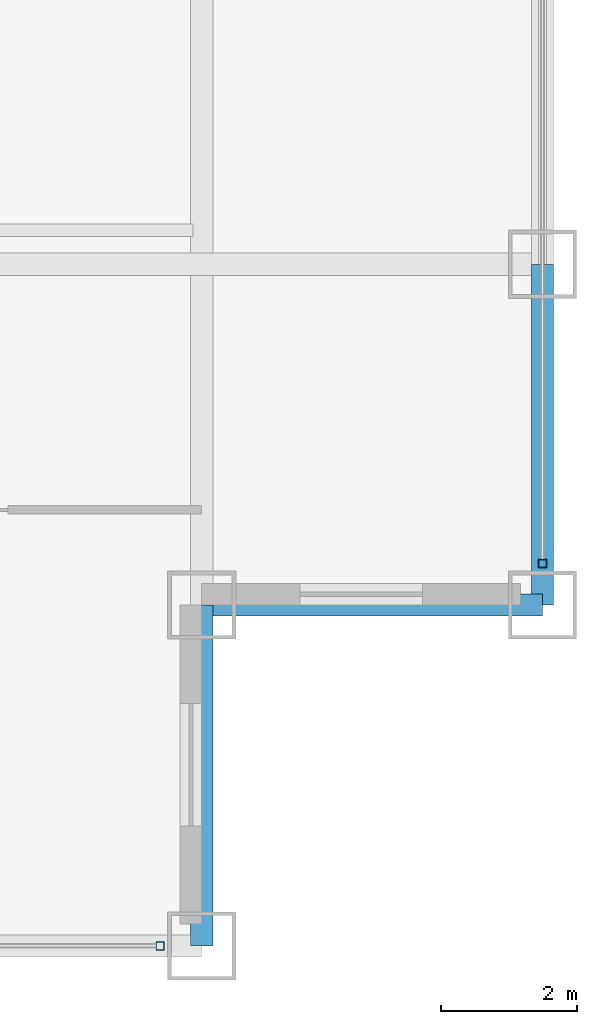
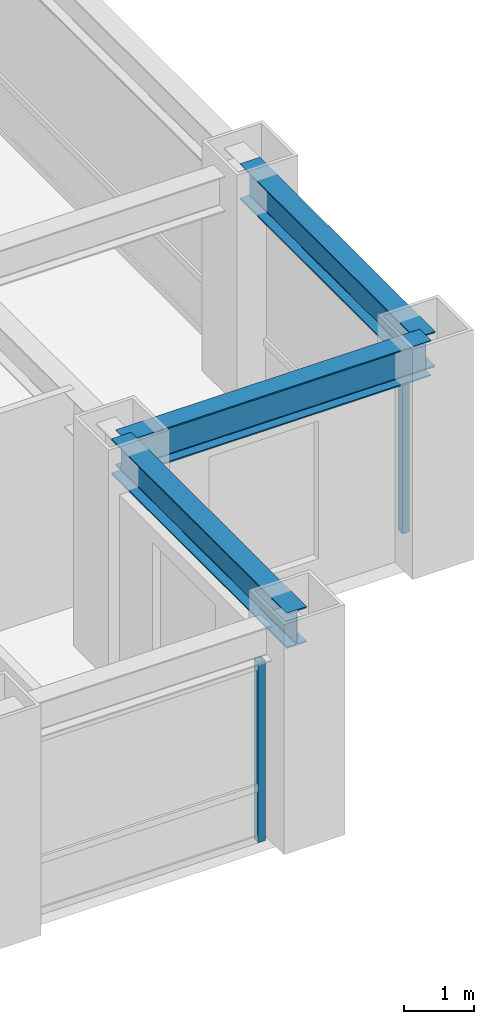
# One storey, part 8 of 25: 3 beams, 2 members, 2 elements without a shape of their own.
"""IFC4 building model written with IfcOpenShell, lengths in metres."""

from ifc_helpers import new_model, si_unit, direction, frame, origin, origin_2d, place, context, subcontext, project, spatial, hollow_rectangle, i_section, extrude, source, transform, mapped, material, material_profile, profile_set, type_object, element, aggregate, save


model = new_model("IFC4")

# Units and contexts
model_context = context("Model", 3, precision=1e-05, world=origin(), true_north=direction((0.0, 1.0)))
body_context = subcontext(model_context, "Body", "Model", "MODEL_VIEW")
ifc_project = project(units=[si_unit("LENGTHUNIT", "METRE"), si_unit("AREAUNIT", "SQUARE_METRE"), si_unit("VOLUMEUNIT", "CUBIC_METRE"), si_unit("PLANEANGLEUNIT", "RADIAN"), si_unit("MASSUNIT", "GRAM", prefix="KILO")], contexts=[model_context])

# Site, building, storey
site_placement = place(None, origin())
site = spatial("IfcSite", under=ifc_project, at=site_placement, CompositionType="ELEMENT")
building_placement = place(site_placement, origin())
building = spatial("IfcBuilding", under=site, at=building_placement, Name="Khorayat Bourse Tower", CompositionType="ELEMENT")
storey_placement = place(building_placement, frame((0.0, 0.0, 247.10009765625)))
storey = spatial("IfcBuildingStorey", under=building, at=storey_placement, Name="L58", CompositionType="ELEMENT", Elevation=247.10009765625)

# Beams
ifc_material_1 = material(Name="Steel ASTM A992 Grade 50", Category="steel")
ifc_material_profile_1 = material_profile(ifc_material_1, i_section(OverallWidth=0.324951171875, OverallDepth=0.615966796875, WebThickness=0.013916015625, FlangeThickness=0.021484375, FilletRadius=0.01611328125, at=origin_2d()), Name="W610X174")
ifc_profile_set_1 = profile_set([ifc_material_profile_1], Name="Steel ASTM A992 Grade 50")
beam_type = type_object("IfcBeamType", Name="BM-SPAN-610", PredefinedType="SPANDREL", material=ifc_profile_set_1)
shared_shape_1 = source(origin(), body_context, "Body", "SweptSolid", [
    extrude(i_section(OverallWidth=0.324951171875, OverallDepth=0.615966796875, WebThickness=0.013916015625, FlangeThickness=0.021484375, FilletRadius=0.01611328125, at=origin_2d()), origin(), (0.0, 0.0, 1.0), 5.0),
])
for number, where, z_axis, x_axis, name in (
    (1, (25.0, -30.0, 3.471923828125), (0.0, 1.0, 0.0), (-1.0, 0.0, 0.0), "L58 BM-SPAN-610 BM-L58-SPN-032"),
    (2, (25.0, -25.0, 3.471923828125), (1.0, 0.0, 0.0), (0.0, 1.0, 0.0), "L58 BM-SPAN-610 BM-L58-SPN-033"),
    (3, (30.0, -25.0, 3.471923828125), (0.0, 1.0, 0.0), (-1.0, 0.0, 0.0), "L58 BM-SPAN-610 BM-L58-SPN-034"),
):
    element("IfcBeam", number, at=place(storey_placement, frame(where, z_axis=z_axis, x_axis=x_axis)), inside=storey, type_object=beam_type, Name=name, PredefinedType="SPANDREL", context=body_context, shape_type="MappedRepresentation", body=[
        mapped(shared_shape_1, transform((0.0, 0.0, 0.0), scale=1.0)),
    ])

# Curtain wall, member
ifc_material_2 = material(Name="Aluminium EN AW-6063 T6", Category="aluminium")
curtain_wall_type = type_object("IfcCurtainWallType", Name="CW-SYS-03", PredefinedType="NOTDEFINED", material=ifc_material_2)
curtain_wall_1_placement = place(storey_placement, origin())
curtain_wall_1 = element("IfcCurtainWall", 4, at=curtain_wall_1_placement, inside=storey, type_object=curtain_wall_type, Name="L58 Curtain Wall CW-L58-S1", PredefinedType="NOTDEFINED")
ifc_material_profile_2 = material_profile(ifc_material_2, hollow_rectangle(XDim=0.1201171875, YDim=0.1201171875, WallThickness=0.0048828125, at=origin_2d()), Name="ALU 120x120x5")
ifc_profile_set_2 = profile_set([ifc_material_profile_2], Name="Aluminium EN AW-6063 T6")
member_type = type_object("IfcMemberType", Name="CWM-VERT-120", PredefinedType="MULLION", material=ifc_profile_set_2)
shared_shape_2 = source(origin(), body_context, "Body", "SweptSolid", [
    extrude(hollow_rectangle(XDim=0.1201171875, YDim=0.1201171875, WallThickness=0.0048828125, at=origin_2d()), origin(), (0.0, 0.0, 1.0), 3.1298828125),
])
member_1_placement = place(storey_placement, frame((24.389892578125, -30.0, 0.0), z_axis=(0.0, 0.0, 1.0), x_axis=(0.0, 1.0, 0.0)))
member_1 = element("IfcMember", 5, at=member_1_placement, type_object=member_type, Name="CW-L58-S1 Vertical Mullion 3", PredefinedType="MULLION", context=body_context, shape_type="MappedRepresentation", body=[
    mapped(shared_shape_2, transform((0.0, 0.0, 0.0), scale=1.0)),
])
aggregate(curtain_wall_1, [member_1])

curtain_wall_2_placement = place(storey_placement, origin())
curtain_wall_2 = element("IfcCurtainWall", 6, at=curtain_wall_2_placement, inside=storey, type_object=curtain_wall_type, Name="L58 Curtain Wall CW-L58-E1", PredefinedType="NOTDEFINED")
member_2_placement = place(storey_placement, frame((30.0, -24.389892578125, 0.0), z_axis=(0.0, 0.0, 1.0), x_axis=(-1.0, 0.0, 0.0)))
member_2 = element("IfcMember", 7, at=member_2_placement, type_object=member_type, Name="CW-L58-E1 Vertical Mullion 1", PredefinedType="MULLION", context=body_context, shape_type="MappedRepresentation", body=[
    mapped(shared_shape_2, transform((0.0, 0.0, 0.0), scale=1.0)),
])
aggregate(curtain_wall_2, [member_2])

save(model, "model.ifc")
